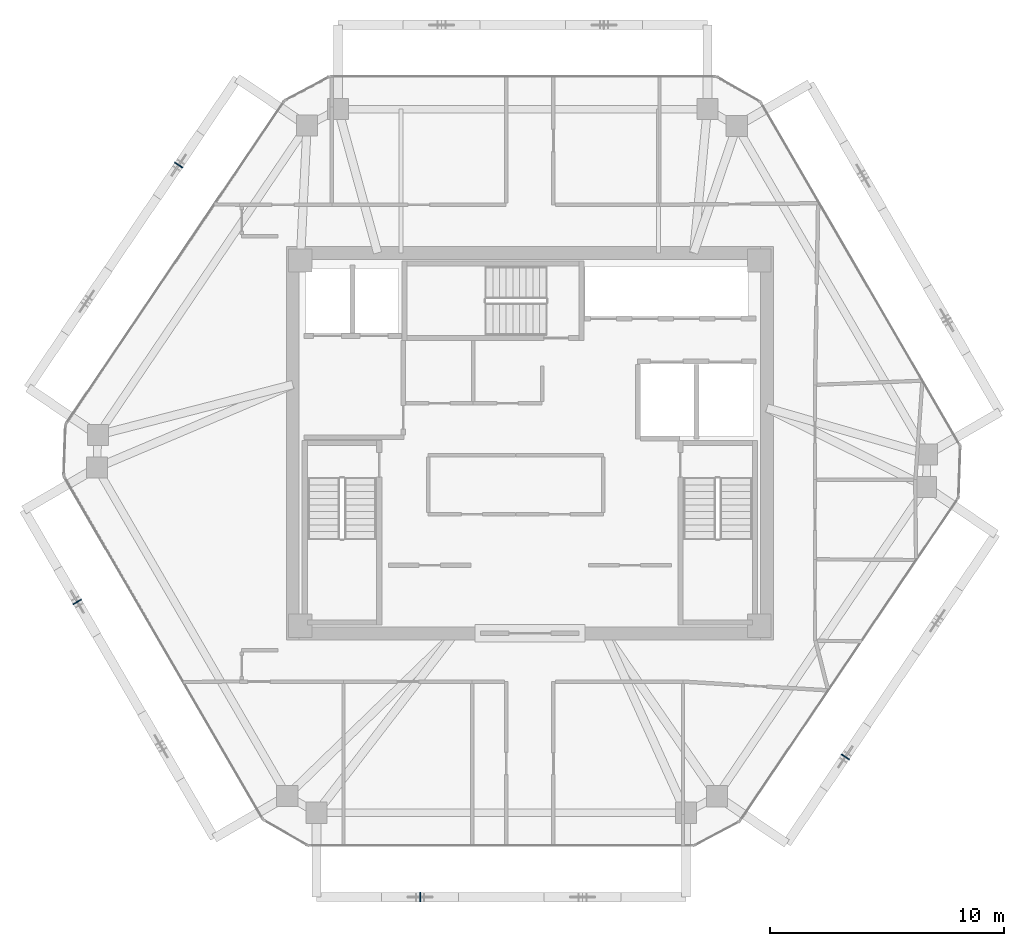
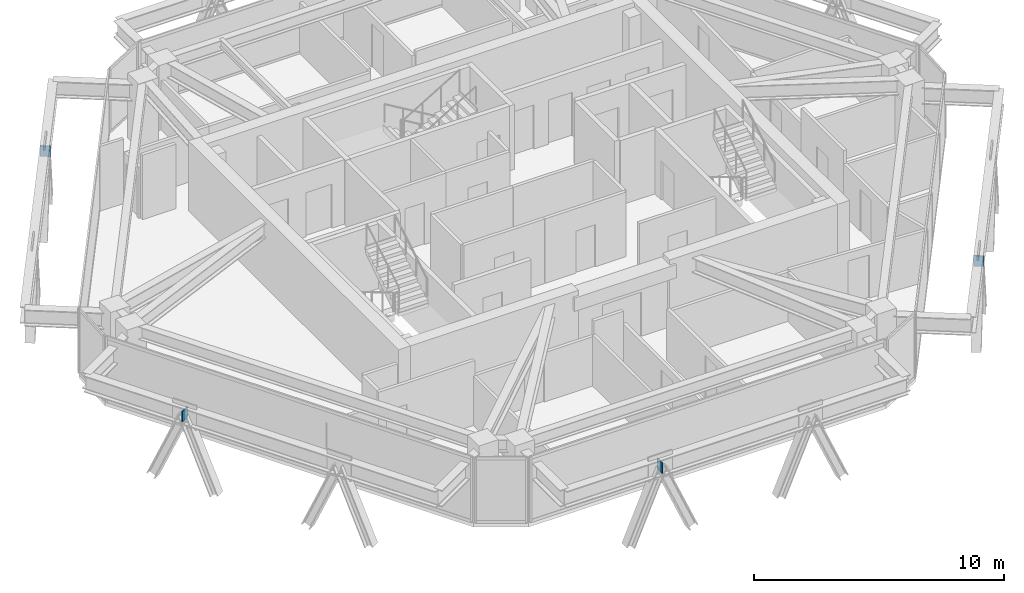
# One storey, part 8 of 13: 4 plates.
"""IFC4 building model written with IfcOpenShell, lengths in metres."""

from ifc_helpers import new_model, si_unit, direction, frame, origin, origin_2d, place, context, subcontext, project, spatial, rectangle, extrude, source, transform, mapped, material, layer, layer_set, type_object, type_shapes, element, save


model = new_model("IFC4")

# Units and contexts
model_context = context("Model", 3, precision=1e-05, world=origin(), true_north=direction((0.0, 1.0)))
body_context = subcontext(model_context, "Body", "Model", "MODEL_VIEW")
ifc_project = project(units=[si_unit("LENGTHUNIT", "METRE"), si_unit("AREAUNIT", "SQUARE_METRE"), si_unit("VOLUMEUNIT", "CUBIC_METRE"), si_unit("PLANEANGLEUNIT", "RADIAN"), si_unit("MASSUNIT", "GRAM", prefix="KILO")], contexts=[model_context])

# Site, building, storey
site_placement = place(None, origin())
site = spatial("IfcSite", under=ifc_project, at=site_placement, CompositionType="ELEMENT")
building_placement = place(site_placement, origin())
building = spatial("IfcBuilding", under=site, at=building_placement, Name="Durnholm Broadcast Tower", CompositionType="ELEMENT")
storey_placement = place(building_placement, frame((0.0, 0.0, 254.699951171875)))
storey = spatial("IfcBuildingStorey", under=building, at=storey_placement, Name="L71", CompositionType="ELEMENT", Elevation=254.699951171875)

# Plates
ifc_material = material(Name="Steel ASTM A572 Grade 50", Category="steel")
ifc_layer = layer(ifc_material, 0.044921875)
ifc_layer_set = layer_set([ifc_layer], Name="Steel ASTM A572 Grade 50")
plate_type = type_object("IfcPlateType", Name="PLT-KN-STIF", PredefinedType="SHEET", material=ifc_layer_set)
shared_shape = source(origin(), body_context, "Body", "SweptSolid", [
    extrude(rectangle(XDim=0.044921875, YDim=0.419921875, at=origin_2d()), origin(), (0.0, 0.0, 1.0), 0.52001953125),
])
type_shapes(plate_type, [shared_shape])
for number, where, z_axis, x_axis, name in (
    (1, (-4.688720703125, -19.385986328125, 2.1484375), (0.0, 0.0, 1.0), (1.0, 0.0, 0.0), "L71 welded diagrid node stiffener plate F1"),
    (2, (13.47412109375, -13.398193359375, 2.1484375), (0.0, 0.0, 1.0), (0.560060762816, 0.828451532652, 0.0), "L71 welded diagrid node stiffener plate F2"),
    (3, (-14.998046875, 11.874267578125, 2.1484375), (0.0, 0.0, 1.0), (-0.560060762816, -0.828451532652, 0.0), "L71 welded diagrid node stiffener plate F5"),
    (4, (-19.330810546875, -6.77880859375, 2.1484375), (0.0, 0.0, 1.0), (0.501963660617, -0.864888711581, 0.0), "L71 welded diagrid node stiffener plate F6"),
):
    element("IfcPlate", number, at=place(storey_placement, frame(where, z_axis=z_axis, x_axis=x_axis)), inside=storey, type_object=plate_type, Name=name, PredefinedType="SHEET", context=body_context, shape_type="MappedRepresentation", body=[
        mapped(shared_shape, transform((0.0, 0.0, 0.0), x_axis=(1.0, 0.0, 0.0), y_axis=(0.0, 1.0, 0.0), z_axis=(0.0, 0.0, 1.0), scale=1.0)),
    ])

save(model, "model.ifc")
